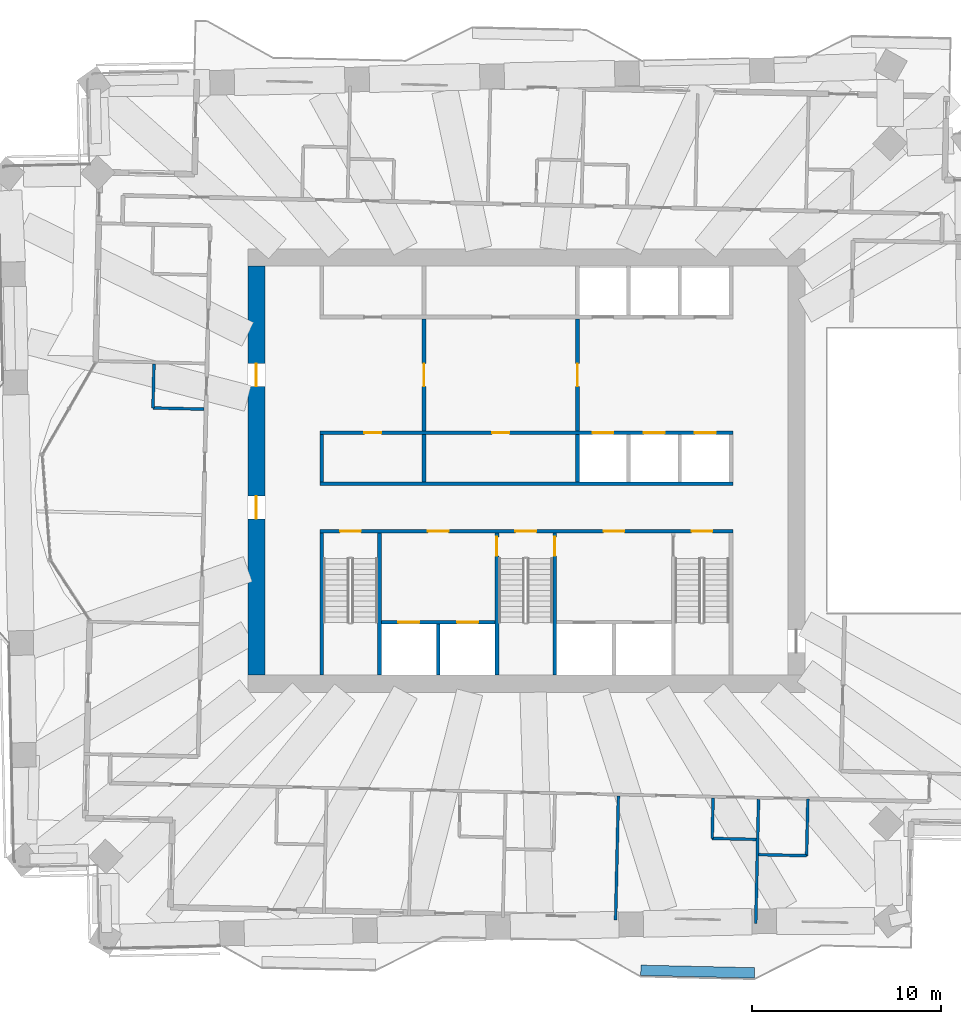
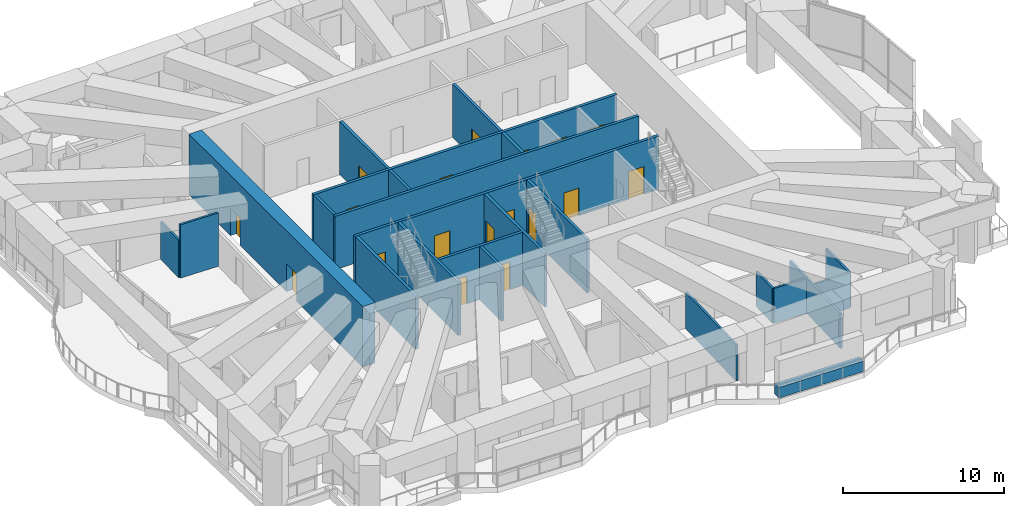
# One storey, part 9 of 17: 24 walls, 18 doors, 18 openings.
"""IFC4 building model written with IfcOpenShell, lengths in metres."""

import ifcopenshell
import ifcopenshell.guid

model = None  # the IFC model being written
_history = None  # IfcOwnerHistory: only IFC2X3 demands one
_inside = {}  # id of a spatial element -> (the spatial element, [elements in it])
_under = {}  # id of a project, library or spatial element -> (it, [spatial elements below it])
_declared = {}  # id of a project -> (the project, [libraries it declares])
_typed = {}  # id of a type object -> (the type object, [elements of that type])
_made_of = {}  # id of a material, layer set ... -> (it, [elements and type objects made of it])


def new_model(schema):
    """Start an empty IFC model of exactly this schema.

    Asked for "IFC4X3", IfcOpenShell would pick the latest addendum, in which some entities
    have other attributes; the version numbers below select the first issue.
    IFC2X3 requires an IfcOwnerHistory on every rooted entity: one is made here for all.
    """
    global model, _history
    if schema == "IFC4X3":
        model = ifcopenshell.file(schema_version=(4, 3, 0, 0))
    else:
        model = ifcopenshell.file(schema=schema)
    _inside.clear()
    _under.clear()
    _declared.clear()
    _typed.clear()
    _made_of.clear()
    _history = None
    if model.schema == "IFC2X3":
        org = make("IfcOrganization", Name="unknown")
        user = make(
            "IfcPersonAndOrganization",
            ThePerson=make("IfcPerson", FamilyName="unknown"),
            TheOrganization=org,
        )
        app = make(
            "IfcApplication",
            ApplicationDeveloper=org,
            Version="unknown",
            ApplicationFullName="unknown",
            ApplicationIdentifier="unknown",
        )
        _history = make(
            "IfcOwnerHistory",
            OwningUser=user,
            OwningApplication=app,
            ChangeAction="ADDED",
            CreationDate=0,
        )
    return model


def make(cls, **values):
    """One entity of the class cls with the attributes given. An attribute that is None is left unset."""
    return model.create_entity(
        cls, **{name: value for name, value in values.items() if value is not None}
    )


def rooted(cls, **values):
    """An entity with a GlobalId (a new one), such as an element, a storey or a relation."""
    return make(cls, GlobalId=ifcopenshell.guid.new(), OwnerHistory=_history, **values)


def si_unit(unit_type, name, prefix=None):
    """IfcSIUnit, for example si_unit("LENGTHUNIT", "METRE", prefix="MILLI")."""
    return make("IfcSIUnit", UnitType=unit_type, Prefix=prefix, Name=name)


def assignment(units):
    """IfcUnitAssignment: the units of a project."""
    return None if units is None else make("IfcUnitAssignment", Units=units)


def point(xyz):
    """IfcCartesianPoint."""
    return None if xyz is None else make("IfcCartesianPoint", Coordinates=xyz)


def direction(xyz):
    """IfcDirection."""
    return None if xyz is None else make("IfcDirection", DirectionRatios=xyz)


def frame(location, z_axis=None, x_axis=None):
    """IfcAxis2Placement3D, a coordinate frame: its origin and axes. An axis left out is left unset."""
    return make(
        "IfcAxis2Placement3D",
        Location=point(location),
        Axis=direction(z_axis),
        RefDirection=direction(x_axis),
    )


def frame_2d(location, x_axis=None):
    """IfcAxis2Placement2D, a coordinate frame in the plane: its origin and x axis."""
    return make(
        "IfcAxis2Placement2D", Location=point(location), RefDirection=direction(x_axis)
    )


def origin():
    """The frame at (0, 0, 0) with its axes left unset."""
    return frame((0.0, 0.0, 0.0))


def place(relative_to, where):
    """IfcLocalPlacement: puts the frame where relative to a parent placement (None: the world)."""
    return make(
        "IfcLocalPlacement", PlacementRelTo=relative_to, RelativePlacement=where
    )


def context(
    kind, dimensions, precision=None, world=None, true_north=None, identifier=None
):
    """IfcGeometricRepresentationContext, for example the 3D "Model" context."""
    return make(
        "IfcGeometricRepresentationContext",
        ContextIdentifier=identifier,
        ContextType=kind,
        CoordinateSpaceDimension=dimensions,
        Precision=precision,
        WorldCoordinateSystem=world,
        TrueNorth=true_north,
    )


def subcontext(parent, identifier, kind, view, scale=None):
    """IfcGeometricRepresentationSubContext, for example "Body" below "Model"."""
    return make(
        "IfcGeometricRepresentationSubContext",
        ContextIdentifier=identifier,
        ContextType=kind,
        ParentContext=parent,
        TargetScale=scale,
        TargetView=view,
    )


def project(units=None, contexts=None):
    """IfcProject with its units and contexts."""
    return rooted(
        "IfcProject",
        Name="project",
        RepresentationContexts=contexts,
        UnitsInContext=assignment(units),
    )


def spatial(cls, under=None, at=None, **own):
    """A site, building, storey or space (cls), placed at a placement, below another one or the project."""
    s = rooted(cls, ObjectPlacement=at, **own)
    if under is not None:
        _under.setdefault(under.id(), (under, []))[1].append(s)
    return s


def profile(cls, at=None, kind="AREA", **sizes):
    """A parametric profile (cls). Its sizes go by their IFC names, for example OverallWidth=200.0."""
    return make(cls, ProfileType=kind, Position=at, **sizes)


def rectangle(**sizes):
    """IfcRectangleProfileDef."""
    return profile("IfcRectangleProfileDef", **sizes)


def extrude(swept, where, along, depth):
    """IfcExtrudedAreaSolid: the profile swept, set in the frame where, extruded along a direction by depth."""
    return make(
        "IfcExtrudedAreaSolid",
        SweptArea=swept,
        Position=where,
        ExtrudedDirection=direction(along),
        Depth=depth,
    )


def shape(context_of_items, identifier, shape_type, items):
    """IfcShapeRepresentation: the items that make up one representation, for example the "Body"."""
    return make(
        "IfcShapeRepresentation",
        ContextOfItems=context_of_items,
        RepresentationIdentifier=identifier,
        RepresentationType=shape_type,
        Items=items,
    )


def material(Name=None, Category=None):
    """IfcMaterial."""
    return make("IfcMaterial", Name=Name, Category=Category)


def layer(
    of_material, thickness, ventilated=None, Name=None, Category=None, Priority=None
):
    """IfcMaterialLayer: one layer of a wall or slab, of a material (None: an air gap)."""
    return make(
        "IfcMaterialLayer",
        Material=of_material,
        LayerThickness=thickness,
        IsVentilated=ventilated,
        Name=Name,
        Category=Category,
        Priority=Priority,
    )


def layer_set(layers, Name=None):
    """IfcMaterialLayerSet."""
    return make("IfcMaterialLayerSet", MaterialLayers=layers, LayerSetName=Name)


def made_of(thing, what):
    """Note that an element or type object is made of a material, layer set ...; save() writes the relation."""
    if what is not None:
        _made_of.setdefault(what.id(), (what, []))[1].append(thing)
    return thing


def type_object(cls, material=None, **own):
    """A type object (cls), such as IfcWallType, which elements share."""
    return made_of(rooted(cls, **own), material)


def element(
    cls,
    number,
    at=None,
    inside=None,
    cuts=None,
    type_object=None,
    material=None,
    context=None,
    identifier="Body",
    shape_type=None,
    held_by="IfcProductDefinitionShape",
    body=None,
    shapes=None,
    **own,
):
    """One element of the class cls, such as IfcWall. Its Tag is "e" and its number.

    at: its placement. inside: the storey or other place that contains it. cuts: it is an
    opening in that element (IfcRelVoidsElement). A single representation is given by context,
    identifier, shape_type and body (its items); several are given by shapes. held_by: the class
    of the entity that holds the representations. save() writes the other relations.
    """
    e = rooted(cls, Tag="e%d" % number, ObjectPlacement=at, **own)
    if body is not None:
        shapes = [shape(context, identifier, shape_type, body)]
    if shapes is not None:
        e.Representation = make(held_by, Representations=shapes)
    if inside is not None:
        _inside.setdefault(inside.id(), (inside, []))[1].append(e)
    if cuts is not None:
        rooted(
            "IfcRelVoidsElement", RelatingBuildingElement=cuts, RelatedOpeningElement=e
        )
    if type_object is not None:
        _typed.setdefault(type_object.id(), (type_object, []))[1].append(e)
    return made_of(e, material)


def fill(opening, filler):
    """IfcRelFillsElement: the door or window that sits in an opening."""
    return rooted(
        "IfcRelFillsElement",
        RelatingOpeningElement=opening,
        RelatedBuildingElement=filler,
    )


def aggregate(whole, parts):
    """IfcRelAggregates: a whole, such as a stair, and the parts it consists of."""
    return rooted("IfcRelAggregates", RelatingObject=whole, RelatedObjects=parts)


def save(model, path):
    """Write the relations noted so far, then the file.

    IfcRelAggregates (storeys below a building ...), IfcRelContainedInSpatialStructure (elements
    in a storey), IfcRelDefinesByType, IfcRelAssociatesMaterial and IfcRelDeclares: one each for
    every whole, place, type object, material and project.
    """
    for whole, parts in _under.values():
        aggregate(whole, parts)
    for where, things in _inside.values():
        rooted(
            "IfcRelContainedInSpatialStructure",
            RelatedElements=things,
            RelatingStructure=where,
        )
    for kind, things in _typed.values():
        rooted("IfcRelDefinesByType", RelatedObjects=things, RelatingType=kind)
    for what, things in _made_of.values():
        rooted("IfcRelAssociatesMaterial", RelatedObjects=things, RelatingMaterial=what)
    for by, libraries in _declared.values():
        rooted("IfcRelDeclares", RelatingContext=by, RelatedDefinitions=libraries)
    model.write(path)


model = new_model("IFC4")

# Units and contexts
model_context = context("Model", 3, precision=1e-05, world=origin(), true_north=direction((0.0, 1.0)))
body_context = subcontext(model_context, "Body", "Model", "MODEL_VIEW")
ifc_project = project(units=[si_unit("LENGTHUNIT", "METRE"), si_unit("AREAUNIT", "SQUARE_METRE"), si_unit("VOLUMEUNIT", "CUBIC_METRE"), si_unit("PLANEANGLEUNIT", "RADIAN"), si_unit("MASSUNIT", "GRAM", prefix="KILO")], contexts=[model_context])

# Site, building, storey
site_placement = place(None, origin())
site = spatial("IfcSite", under=ifc_project, at=site_placement, CompositionType="ELEMENT")
building_placement = place(site_placement, origin())
building = spatial("IfcBuilding", under=site, at=building_placement, Name="Mangrove Gate Tower", CompositionType="ELEMENT")
storey_placement = place(building_placement, frame((0.0, 0.0, 148.10009765625)))
storey = spatial("IfcBuildingStorey", under=building, at=storey_placement, Name="L37", CompositionType="ELEMENT", Elevation=148.10009765625)

# Wall, opening, door
ifc_material_1 = material(Name="Concrete C32/40", Category="concrete")
ifc_layer_1 = layer(ifc_material_1, 0.199951171875)
ifc_layer_set_1 = layer_set([ifc_layer_1], Name="Core lobby wall 200 C32/40")
wall_type_1 = type_object("IfcWallType", Name="Core lobby wall 200 C32/40", PredefinedType="STANDARD", material=ifc_layer_set_1)
wall_1_placement = place(storey_placement, frame((-5.39990234375, 2.10009765625, 0.0), z_axis=(0.0, 0.0, 1.0), x_axis=(0.0, 1.0, 0.0)))
wall_1 = element("IfcWall", 1, at=wall_1_placement, inside=storey, type_object=wall_type_1, Name="WALL-L37-CORE-31", PredefinedType="STANDARD", context=body_context, shape_type="SweptSolid", body=[
    extrude(rectangle(XDim=5.89990234375, YDim=0.199951171875, at=frame_2d((2.949951171875, 0.0))), origin(), (0.0, 0.0, 1.0), 4.0498046875),
])
opening_1_placement = place(wall_1_placement, frame((2.35009765625, 0.0, 0.0)))
opening_1 = element("IfcOpeningElement", 2, at=opening_1_placement, cuts=wall_1, Name="Opening FL12", PredefinedType="OPENING", context=body_context, shape_type="SweptSolid", body=[
    extrude(rectangle(XDim=1.199951171875, YDim=2.10009765625, at=frame_2d((0.60009765625, 1.050048828125))), frame((0.0, 0.10986328125, 0.0), z_axis=(0.0, -1.0, 0.0), x_axis=(1.0, 0.0, 0.0)), (0.0, 0.0, 1.0), 0.219970703125),
])
ifc_material_2 = material(Name="Fire-rated steel door set", Category="steel")
door_type_1 = type_object("IfcDoorType", Name="Lobby door FD60 1200x2100", OperationType="SINGLE_SWING_LEFT", PredefinedType="DOOR", material=ifc_material_2)
door_1_placement = place(opening_1_placement, origin())
door_1 = element("IfcDoor", 3, at=door_1_placement, inside=storey, type_object=door_type_1, Name="Lobby door lift lobby partition", OperationType="SINGLE_SWING_LEFT", OverallHeight=2.10009765625, OverallWidth=1.199951171875, PredefinedType="DOOR", context=body_context, shape_type="SweptSolid", body=[
    extrude(rectangle(XDim=1.199951171875, YDim=2.10009765625, at=frame_2d((0.60009765625, 1.050048828125))), frame((0.0, 0.02490234375, 0.0), z_axis=(0.0, -1.0, 0.0), x_axis=(1.0, 0.0, 0.0)), (0.0, 0.0, 1.0), 0.050048828125),
])
fill(opening_1, door_1)

wall_2_placement = place(storey_placement, frame((2.699951171875, 2.10009765625, 0.0), z_axis=(0.0, 0.0, 1.0), x_axis=(0.0, 1.0, 0.0)))
wall_2 = element("IfcWall", 4, at=wall_2_placement, inside=storey, type_object=wall_type_1, Name="WALL-L37-CORE-32", PredefinedType="STANDARD", context=body_context, shape_type="SweptSolid", body=[
    extrude(rectangle(XDim=5.89990234375, YDim=0.199951171875, at=frame_2d((2.949951171875, 0.0))), origin(), (0.0, 0.0, 1.0), 4.0498046875),
])
opening_2_placement = place(wall_2_placement, frame((2.35009765625, 0.0, 0.0)))
opening_2 = element("IfcOpeningElement", 5, at=opening_2_placement, cuts=wall_2, Name="Opening FL12", PredefinedType="OPENING", context=body_context, shape_type="SweptSolid", body=[
    extrude(rectangle(XDim=1.199951171875, YDim=2.10009765625, at=frame_2d((0.60009765625, 1.050048828125))), frame((0.0, 0.10986328125, 0.0), z_axis=(0.0, -1.0, 0.0), x_axis=(1.0, 0.0, 0.0)), (0.0, 0.0, 1.0), 0.219970703125),
])
door_2_placement = place(opening_2_placement, origin())
door_2 = element("IfcDoor", 6, at=door_2_placement, inside=storey, type_object=door_type_1, Name="Lobby door lift lobby partition", OperationType="SINGLE_SWING_LEFT", OverallHeight=2.10009765625, OverallWidth=1.199951171875, PredefinedType="DOOR", context=body_context, shape_type="SweptSolid", body=[
    extrude(rectangle(XDim=1.199951171875, YDim=2.10009765625, at=frame_2d((0.60009765625, 1.050048828125))), frame((0.0, 0.02490234375, 0.0), z_axis=(0.0, -1.0, 0.0), x_axis=(1.0, 0.0, 0.0)), (0.0, 0.0, 1.0), 0.050048828125),
])
fill(opening_2, door_2)

# Walls
ifc_material_3 = material(Name="Concrete C32/40", Category="concrete")
ifc_layer_2 = layer(ifc_material_3, 0.199951171875)
ifc_layer_set_2 = layer_set([ifc_layer_2], Name="Core room wall 200 C32/40")
wall_type_2 = type_object("IfcWallType", Name="Core room wall 200 C32/40", PredefinedType="STANDARD", material=ifc_layer_set_2)
for number, where, z_axis, x_axis, name in (
    (7, (-10.800048828125, -0.60009765625, 0.0), (0.0, 0.0, 1.0), (0.0, 1.0, 0.0), "WALL-L37-CORE-19"),
    (8, (-5.39990234375, -0.60009765625, 0.0), (0.0, 0.0, 1.0), (0.0, 1.0, 0.0), "WALL-L37-CORE-20"),
):
    element("IfcWall", number, at=place(storey_placement, frame(where, z_axis=z_axis, x_axis=x_axis)), inside=storey, type_object=wall_type_2, Name=name, PredefinedType="STANDARD", context=body_context, shape_type="SweptSolid", body=[
        extrude(rectangle(XDim=2.5, YDim=0.199951171875, at=frame_2d((1.25, 0.0))), origin(), (0.0, 0.0, 1.0), 4.0498046875),
    ])
ifc_material_4 = material(Name="Concrete C60/75", Category="concrete")
ifc_layer_3 = layer(ifc_material_4, 0.199951171875)
ifc_layer_set_3 = layer_set([ifc_layer_3], Name="Core shaft wall 200 C60/75")
wall_type_3 = type_object("IfcWallType", Name="Core shaft wall 200 C60/75", PredefinedType="SHEAR", material=ifc_layer_set_3)
wall_3_placement = place(storey_placement, frame((-10.89990234375, -0.699951171875, 0.0), z_axis=(0.0, 0.0, 1.0), x_axis=(1.0, 0.0, 0.0)))
element("IfcWall", 9, at=wall_3_placement, inside=storey, type_object=wall_type_3, Name="WALL-L37-CORE-6", PredefinedType="SHEAR", context=body_context, shape_type="SweptSolid", body=[
    extrude(rectangle(XDim=21.7998046875, YDim=0.199951171875, at=frame_2d((10.89990234375, 0.0))), origin(), (0.0, 0.0, 1.0), 4.0498046875),
])

# Wall, openings, doors
wall_4_placement = place(storey_placement, frame((-10.89990234375, 2.0, 0.0), z_axis=(0.0, 0.0, 1.0), x_axis=(1.0, 0.0, 0.0)))
wall_4 = element("IfcWall", 10, at=wall_4_placement, inside=storey, type_object=wall_type_3, Name="WALL-L37-CORE-7", PredefinedType="SHEAR", context=body_context, shape_type="SweptSolid", body=[
    extrude(rectangle(XDim=21.7998046875, YDim=0.199951171875, at=frame_2d((10.89990234375, 0.0))), origin(), (0.0, 0.0, 1.0), 4.0498046875),
])
opening_3_placement = place(wall_4_placement, frame((14.39990234375, 0.0, 0.0)))
opening_3 = element("IfcOpeningElement", 11, at=opening_3_placement, cuts=wall_4, Name="Opening LD", PredefinedType="OPENING", context=body_context, shape_type="SweptSolid", body=[
    extrude(rectangle(XDim=1.10009765625, YDim=2.10009765625, at=frame_2d((0.550048828125, 1.050048828125))), frame((0.0, 0.10986328125, 0.0), z_axis=(0.0, -1.0, 0.0), x_axis=(1.0, 0.0, 0.0)), (0.0, 0.0, 1.0), 0.219970703125),
])
opening_4_placement = place(wall_4_placement, frame((17.10009765625, 0.0, 0.0)))
opening_4 = element("IfcOpeningElement", 12, at=opening_4_placement, cuts=wall_4, Name="Opening LD", PredefinedType="OPENING", context=body_context, shape_type="SweptSolid", body=[
    extrude(rectangle(XDim=1.10009765625, YDim=2.10009765625, at=frame_2d((0.550048828125, 1.050048828125))), frame((0.0, 0.10986328125, 0.0), z_axis=(0.0, -1.0, 0.0), x_axis=(1.0, 0.0, 0.0)), (0.0, 0.0, 1.0), 0.219970703125),
])
opening_5_placement = place(wall_4_placement, frame((19.800048828125, 0.0, 0.0)))
opening_5 = element("IfcOpeningElement", 13, at=opening_5_placement, cuts=wall_4, Name="Opening LD", PredefinedType="OPENING", context=body_context, shape_type="SweptSolid", body=[
    extrude(rectangle(XDim=1.10009765625, YDim=2.10009765625, at=frame_2d((0.550048828125, 1.050048828125))), frame((0.0, 0.10986328125, 0.0), z_axis=(0.0, -1.0, 0.0), x_axis=(1.0, 0.0, 0.0)), (0.0, 0.0, 1.0), 0.219970703125),
])
opening_6_placement = place(wall_4_placement, frame((2.35009765625, 0.0, 0.0)))
opening_6 = element("IfcOpeningElement", 14, at=opening_6_placement, cuts=wall_4, Name="Opening RD", PredefinedType="OPENING", context=body_context, shape_type="SweptSolid", body=[
    extrude(rectangle(XDim=0.89990234375, YDim=2.10009765625, at=frame_2d((0.449951171875, 1.050048828125))), frame((0.0, 0.10986328125, 0.0), z_axis=(0.0, -1.0, 0.0), x_axis=(1.0, 0.0, 0.0)), (0.0, 0.0, 1.0), 0.219970703125),
])
opening_7_placement = place(wall_4_placement, frame((9.10009765625, 0.0, 0.0)))
opening_7 = element("IfcOpeningElement", 15, at=opening_7_placement, cuts=wall_4, Name="Opening RD", PredefinedType="OPENING", context=body_context, shape_type="SweptSolid", body=[
    extrude(rectangle(XDim=0.89990234375, YDim=2.10009765625, at=frame_2d((0.449951171875, 1.050048828125))), frame((0.0, 0.10986328125, 0.0), z_axis=(0.0, -1.0, 0.0), x_axis=(1.0, 0.0, 0.0)), (0.0, 0.0, 1.0), 0.219970703125),
])
ifc_material_5 = material(Name="Stainless steel 316", Category="steel")
door_type_2 = type_object("IfcDoorType", Name="Lift landing door 1100x2100", OperationType="SLIDING_TO_LEFT", PredefinedType="DOOR", material=ifc_material_5)
door_3_placement = place(opening_3_placement, origin())
door_3 = element("IfcDoor", 16, at=door_3_placement, inside=storey, type_object=door_type_2, Name="Landing door LD M01", OperationType="SLIDING_TO_LEFT", OverallHeight=2.10009765625, OverallWidth=1.10009765625, PredefinedType="DOOR", context=body_context, shape_type="SweptSolid", body=[
    extrude(rectangle(XDim=1.10009765625, YDim=2.10009765625, at=frame_2d((0.550048828125, 1.050048828125))), frame((0.0, 0.02490234375, 0.0), z_axis=(0.0, -1.0, 0.0), x_axis=(1.0, 0.0, 0.0)), (0.0, 0.0, 1.0), 0.050048828125),
])
fill(opening_3, door_3)
door_4_placement = place(opening_4_placement, origin())
door_4 = element("IfcDoor", 17, at=door_4_placement, inside=storey, type_object=door_type_2, Name="Landing door LD M02", OperationType="SLIDING_TO_LEFT", OverallHeight=2.10009765625, OverallWidth=1.10009765625, PredefinedType="DOOR", context=body_context, shape_type="SweptSolid", body=[
    extrude(rectangle(XDim=1.10009765625, YDim=2.10009765625, at=frame_2d((0.550048828125, 1.050048828125))), frame((0.0, 0.02490234375, 0.0), z_axis=(0.0, -1.0, 0.0), x_axis=(1.0, 0.0, 0.0)), (0.0, 0.0, 1.0), 0.050048828125),
])
fill(opening_4, door_4)
door_5_placement = place(opening_5_placement, origin())
door_5 = element("IfcDoor", 18, at=door_5_placement, inside=storey, type_object=door_type_2, Name="Landing door LD M03", OperationType="SLIDING_TO_LEFT", OverallHeight=2.10009765625, OverallWidth=1.10009765625, PredefinedType="DOOR", context=body_context, shape_type="SweptSolid", body=[
    extrude(rectangle(XDim=1.10009765625, YDim=2.10009765625, at=frame_2d((0.550048828125, 1.050048828125))), frame((0.0, 0.02490234375, 0.0), z_axis=(0.0, -1.0, 0.0), x_axis=(1.0, 0.0, 0.0)), (0.0, 0.0, 1.0), 0.050048828125),
])
fill(opening_5, door_5)
ifc_material_6 = material(Name="Fire-rated steel door set", Category="steel")
door_type_3 = type_object("IfcDoorType", Name="Riser door FD30S 900x2100", OperationType="SINGLE_SWING_LEFT", PredefinedType="DOOR", material=ifc_material_6)
door_6_placement = place(opening_6_placement, origin())
door_6 = element("IfcDoor", 19, at=door_6_placement, inside=storey, type_object=door_type_3, Name="Riser door Switch room", OperationType="SINGLE_SWING_LEFT", OverallHeight=2.10009765625, OverallWidth=0.89990234375, PredefinedType="DOOR", context=body_context, shape_type="SweptSolid", body=[
    extrude(rectangle(XDim=0.89990234375, YDim=2.10009765625, at=frame_2d((0.449951171875, 1.050048828125))), frame((0.0, 0.02490234375, 0.0), z_axis=(0.0, -1.0, 0.0), x_axis=(1.0, 0.0, 0.0)), (0.0, 0.0, 1.0), 0.050048828125),
])
fill(opening_6, door_6)
door_7_placement = place(opening_7_placement, origin())
door_7 = element("IfcDoor", 20, at=door_7_placement, inside=storey, type_object=door_type_3, Name="Riser door Comms room", OperationType="SINGLE_SWING_LEFT", OverallHeight=2.10009765625, OverallWidth=0.89990234375, PredefinedType="DOOR", context=body_context, shape_type="SweptSolid", body=[
    extrude(rectangle(XDim=0.89990234375, YDim=2.10009765625, at=frame_2d((0.449951171875, 1.050048828125))), frame((0.0, 0.02490234375, 0.0), z_axis=(0.0, -1.0, 0.0), x_axis=(1.0, 0.0, 0.0)), (0.0, 0.0, 1.0), 0.050048828125),
])
fill(opening_7, door_7)

wall_5_placement = place(storey_placement, frame((-7.64990234375, -8.0, 0.0), z_axis=(0.0, 0.0, 1.0), x_axis=(1.0, 0.0, 0.0)))
wall_5 = element("IfcWall", 21, at=wall_5_placement, inside=storey, type_object=wall_type_3, Name="WALL-L37-CORE-15", PredefinedType="SHEAR", context=body_context, shape_type="SweptSolid", body=[
    extrude(rectangle(XDim=6.0, YDim=0.199951171875, at=frame_2d((3.0, 0.0))), origin(), (0.0, 0.0, 1.0), 4.0498046875),
])
opening_8_placement = place(wall_5_placement, frame((0.89990234375, 0.0, 0.0)))
opening_8 = element("IfcOpeningElement", 22, at=opening_8_placement, cuts=wall_5, Name="Opening LD", PredefinedType="OPENING", context=body_context, shape_type="SweptSolid", body=[
    extrude(rectangle(XDim=1.10009765625, YDim=2.10009765625, at=frame_2d((0.550048828125, 1.050048828125))), frame((0.0, 0.10986328125, 0.0), z_axis=(0.0, -1.0, 0.0), x_axis=(1.0, 0.0, 0.0)), (0.0, 0.0, 1.0), 0.219970703125),
])
opening_9_placement = place(wall_5_placement, frame((4.0, 0.0, 0.0)))
opening_9 = element("IfcOpeningElement", 23, at=opening_9_placement, cuts=wall_5, Name="Opening LD", PredefinedType="OPENING", context=body_context, shape_type="SweptSolid", body=[
    extrude(rectangle(XDim=1.10009765625, YDim=2.10009765625, at=frame_2d((0.550048828125, 1.050048828125))), frame((0.0, 0.10986328125, 0.0), z_axis=(0.0, -1.0, 0.0), x_axis=(1.0, 0.0, 0.0)), (0.0, 0.0, 1.0), 0.219970703125),
])
door_8_placement = place(opening_8_placement, origin())
door_8 = element("IfcDoor", 24, at=door_8_placement, inside=storey, type_object=door_type_2, Name="Landing door LD SVL1", OperationType="SLIDING_TO_LEFT", OverallHeight=2.10009765625, OverallWidth=1.10009765625, PredefinedType="DOOR", context=body_context, shape_type="SweptSolid", body=[
    extrude(rectangle(XDim=1.10009765625, YDim=2.10009765625, at=frame_2d((0.550048828125, 1.050048828125))), frame((0.0, 0.02490234375, 0.0), z_axis=(0.0, -1.0, 0.0), x_axis=(1.0, 0.0, 0.0)), (0.0, 0.0, 1.0), 0.050048828125),
])
fill(opening_8, door_8)
door_9_placement = place(opening_9_placement, origin())
door_9 = element("IfcDoor", 25, at=door_9_placement, inside=storey, type_object=door_type_2, Name="Landing door LD SVL2", OperationType="SLIDING_TO_LEFT", OverallHeight=2.10009765625, OverallWidth=1.10009765625, PredefinedType="DOOR", context=body_context, shape_type="SweptSolid", body=[
    extrude(rectangle(XDim=1.10009765625, YDim=2.10009765625, at=frame_2d((0.550048828125, 1.050048828125))), frame((0.0, 0.02490234375, 0.0), z_axis=(0.0, -1.0, 0.0), x_axis=(1.0, 0.0, 0.0)), (0.0, 0.0, 1.0), 0.050048828125),
])
fill(opening_9, door_9)

# Walls
wall_6_placement = place(storey_placement, frame((-4.64990234375, -10.800048828125, 0.0), z_axis=(0.0, 0.0, 1.0), x_axis=(0.0, 1.0, 0.0)))
element("IfcWall", 26, at=wall_6_placement, inside=storey, type_object=wall_type_3, Name="WALL-L37-CORE-16", PredefinedType="SHEAR", context=body_context, shape_type="SweptSolid", body=[
    extrude(rectangle(XDim=2.699951171875, YDim=0.199951171875, at=frame_2d((1.35009765625, 0.0))), origin(), (0.0, 0.0, 1.0), 4.0498046875),
])
wall_7_placement = place(storey_placement, frame((2.699951171875, -0.60009765625, 0.0), z_axis=(0.0, 0.0, 1.0), x_axis=(0.0, 1.0, 0.0)))
element("IfcWall", 27, at=wall_7_placement, inside=storey, type_object=wall_type_3, Name="WALL-L37-CORE-21", PredefinedType="SHEAR", context=body_context, shape_type="SweptSolid", body=[
    extrude(rectangle(XDim=2.5, YDim=0.199951171875, at=frame_2d((1.25, 0.0))), origin(), (0.0, 0.0, 1.0), 4.0498046875),
])

# Wall, openings, doors
ifc_material_7 = material(Name="Concrete C60/75", Category="concrete")
ifc_layer_4 = layer(ifc_material_7, 0.199951171875)
ifc_layer_set_4 = layer_set([ifc_layer_4], Name="Core stair wall 200 C60/75")
wall_type_4 = type_object("IfcWallType", Name="Core stair wall 200 C60/75", PredefinedType="SHEAR", material=ifc_layer_set_4)
wall_8_placement = place(storey_placement, frame((-10.89990234375, -3.199951171875, 0.0), z_axis=(0.0, 0.0, 1.0), x_axis=(1.0, 0.0, 0.0)))
wall_8 = element("IfcWall", 28, at=wall_8_placement, inside=storey, type_object=wall_type_4, Name="WALL-L37-CORE-5", PredefinedType="SHEAR", context=body_context, shape_type="SweptSolid", body=[
    extrude(rectangle(XDim=21.7998046875, YDim=0.199951171875, at=frame_2d((10.89990234375, 0.0))), origin(), (0.0, 0.0, 1.0), 4.0498046875),
])
opening_10_placement = place(wall_8_placement, frame((1.074951171875, 0.0, 0.0)))
opening_10 = element("IfcOpeningElement", 29, at=opening_10_placement, cuts=wall_8, Name="Opening STD11", PredefinedType="OPENING", context=body_context, shape_type="SweptSolid", body=[
    extrude(rectangle(XDim=1.10009765625, YDim=2.10009765625, at=frame_2d((0.550048828125, 1.050048828125))), frame((0.0, 0.10986328125, 0.0), z_axis=(0.0, -1.0, 0.0), x_axis=(1.0, 0.0, 0.0)), (0.0, 0.0, 1.0), 0.219970703125),
])
opening_11_placement = place(wall_8_placement, frame((10.324951171875, 0.0, 0.0)))
opening_11 = element("IfcOpeningElement", 30, at=opening_11_placement, cuts=wall_8, Name="Opening STD11", PredefinedType="OPENING", context=body_context, shape_type="SweptSolid", body=[
    extrude(rectangle(XDim=1.10009765625, YDim=2.10009765625, at=frame_2d((0.550048828125, 1.050048828125))), frame((0.0, 0.10986328125, 0.0), z_axis=(0.0, -1.0, 0.0), x_axis=(1.0, 0.0, 0.0)), (0.0, 0.0, 1.0), 0.219970703125),
])
opening_12_placement = place(wall_8_placement, frame((19.625, 0.0, 0.0)))
opening_12 = element("IfcOpeningElement", 31, at=opening_12_placement, cuts=wall_8, Name="Opening STD11", PredefinedType="OPENING", context=body_context, shape_type="SweptSolid", body=[
    extrude(rectangle(XDim=1.10009765625, YDim=2.10009765625, at=frame_2d((0.550048828125, 1.050048828125))), frame((0.0, 0.10986328125, 0.0), z_axis=(0.0, -1.0, 0.0), x_axis=(1.0, 0.0, 0.0)), (0.0, 0.0, 1.0), 0.219970703125),
])
opening_13_placement = place(wall_8_placement, frame((5.699951171875, 0.0, 0.0)))
opening_13 = element("IfcOpeningElement", 32, at=opening_13_placement, cuts=wall_8, Name="Opening FL", PredefinedType="OPENING", context=body_context, shape_type="SweptSolid", body=[
    extrude(rectangle(XDim=1.10009765625, YDim=2.10009765625, at=frame_2d((0.550048828125, 1.050048828125))), frame((0.0, 0.10986328125, 0.0), z_axis=(0.0, -1.0, 0.0), x_axis=(1.0, 0.0, 0.0)), (0.0, 0.0, 1.0), 0.219970703125),
])
opening_14_placement = place(wall_8_placement, frame((14.97509765625, 0.0, 0.0)))
opening_14 = element("IfcOpeningElement", 33, at=opening_14_placement, cuts=wall_8, Name="Opening FL", PredefinedType="OPENING", context=body_context, shape_type="SweptSolid", body=[
    extrude(rectangle(XDim=1.10009765625, YDim=2.10009765625, at=frame_2d((0.550048828125, 1.050048828125))), frame((0.0, 0.10986328125, 0.0), z_axis=(0.0, -1.0, 0.0), x_axis=(1.0, 0.0, 0.0)), (0.0, 0.0, 1.0), 0.219970703125),
])
ifc_material_8 = material(Name="Fire-rated steel door set", Category="steel")
door_type_4 = type_object("IfcDoorType", Name="Lobby door FD60 1100x2100", OperationType="SINGLE_SWING_LEFT", PredefinedType="DOOR", material=ifc_material_8)
door_10_placement = place(opening_13_placement, origin())
door_10 = element("IfcDoor", 34, at=door_10_placement, inside=storey, type_object=door_type_4, Name="Lobby door service lobby", OperationType="SINGLE_SWING_LEFT", OverallHeight=2.10009765625, OverallWidth=1.10009765625, PredefinedType="DOOR", context=body_context, shape_type="SweptSolid", body=[
    extrude(rectangle(XDim=1.10009765625, YDim=2.10009765625, at=frame_2d((0.550048828125, 1.050048828125))), frame((0.0, 0.02490234375, 0.0), z_axis=(0.0, -1.0, 0.0), x_axis=(1.0, 0.0, 0.0)), (0.0, 0.0, 1.0), 0.050048828125),
])
fill(opening_13, door_10)
door_11_placement = place(opening_14_placement, origin())
door_11 = element("IfcDoor", 35, at=door_11_placement, inside=storey, type_object=door_type_4, Name="Lobby door fire-fighting lobby", OperationType="SINGLE_SWING_LEFT", OverallHeight=2.10009765625, OverallWidth=1.10009765625, PredefinedType="DOOR", context=body_context, shape_type="SweptSolid", body=[
    extrude(rectangle(XDim=1.10009765625, YDim=2.10009765625, at=frame_2d((0.550048828125, 1.050048828125))), frame((0.0, 0.02490234375, 0.0), z_axis=(0.0, -1.0, 0.0), x_axis=(1.0, 0.0, 0.0)), (0.0, 0.0, 1.0), 0.050048828125),
])
fill(opening_14, door_11)
ifc_material_9 = material(Name="Fire-rated steel door set", Category="steel")
door_type_5 = type_object("IfcDoorType", Name="Stair door FD60 1100x2100", OperationType="SINGLE_SWING_RIGHT", PredefinedType="DOOR", material=ifc_material_9)
door_12_placement = place(opening_10_placement, origin())
door_12 = element("IfcDoor", 36, at=door_12_placement, inside=storey, type_object=door_type_5, Name="Stair door Stair 1", OperationType="SINGLE_SWING_RIGHT", OverallHeight=2.10009765625, OverallWidth=1.10009765625, PredefinedType="DOOR", context=body_context, shape_type="SweptSolid", body=[
    extrude(rectangle(XDim=1.10009765625, YDim=2.10009765625, at=frame_2d((0.550048828125, 1.050048828125))), frame((0.0, 0.02490234375, 0.0), z_axis=(0.0, -1.0, 0.0), x_axis=(1.0, 0.0, 0.0)), (0.0, 0.0, 1.0), 0.050048828125),
])
fill(opening_10, door_12)
door_13_placement = place(opening_11_placement, origin())
door_13 = element("IfcDoor", 37, at=door_13_placement, inside=storey, type_object=door_type_5, Name="Stair door Stair 2", OperationType="SINGLE_SWING_RIGHT", OverallHeight=2.10009765625, OverallWidth=1.10009765625, PredefinedType="DOOR", context=body_context, shape_type="SweptSolid", body=[
    extrude(rectangle(XDim=1.10009765625, YDim=2.10009765625, at=frame_2d((0.550048828125, 1.050048828125))), frame((0.0, 0.02490234375, 0.0), z_axis=(0.0, -1.0, 0.0), x_axis=(1.0, 0.0, 0.0)), (0.0, 0.0, 1.0), 0.050048828125),
])
fill(opening_11, door_13)
door_14_placement = place(opening_12_placement, origin())
door_14 = element("IfcDoor", 38, at=door_14_placement, inside=storey, type_object=door_type_5, Name="Stair door Stair 3", OperationType="SINGLE_SWING_RIGHT", OverallHeight=2.10009765625, OverallWidth=1.10009765625, PredefinedType="DOOR", context=body_context, shape_type="SweptSolid", body=[
    extrude(rectangle(XDim=1.10009765625, YDim=2.10009765625, at=frame_2d((0.550048828125, 1.050048828125))), frame((0.0, 0.02490234375, 0.0), z_axis=(0.0, -1.0, 0.0), x_axis=(1.0, 0.0, 0.0)), (0.0, 0.0, 1.0), 0.050048828125),
])
fill(opening_12, door_14)

# Walls
for number, where, z_axis, x_axis, name in (
    (39, (-10.800048828125, -10.800048828125, 0.0), (0.0, 0.0, 1.0), (0.0, 1.0, 0.0), "WALL-L37-CORE-9"),
    (40, (-7.75, -10.800048828125, 0.0), (0.0, 0.0, 1.0), (0.0, 1.0, 0.0), "WALL-L37-CORE-10"),
):
    element("IfcWall", number, at=place(storey_placement, frame(where, z_axis=z_axis, x_axis=x_axis)), inside=storey, type_object=wall_type_4, Name=name, PredefinedType="SHEAR", context=body_context, shape_type="SweptSolid", body=[
        extrude(rectangle(XDim=7.5, YDim=0.199951171875, at=frame_2d((3.75, 0.0))), origin(), (0.0, 0.0, 1.0), 4.0498046875),
    ])

# Wall, opening, door
wall_9_placement = place(storey_placement, frame((-1.550048828125, -10.800048828125, 0.0), z_axis=(0.0, 0.0, 1.0), x_axis=(0.0, 1.0, 0.0)))
wall_9 = element("IfcWall", 41, at=wall_9_placement, inside=storey, type_object=wall_type_4, Name="WALL-L37-CORE-11", PredefinedType="SHEAR", context=body_context, shape_type="SweptSolid", body=[
    extrude(rectangle(XDim=7.5, YDim=0.199951171875, at=frame_2d((3.75, 0.0))), origin(), (0.0, 0.0, 1.0), 4.0498046875),
])
opening_15_placement = place(wall_9_placement, frame((6.300048828125, 0.0, 0.0)))
opening_15 = element("IfcOpeningElement", 42, at=opening_15_placement, cuts=wall_9, Name="Opening STD10", PredefinedType="OPENING", context=body_context, shape_type="SweptSolid", body=[
    extrude(rectangle(XDim=1.0, YDim=2.10009765625, at=frame_2d((0.5, 1.050048828125))), frame((0.0, 0.10986328125, 0.0), z_axis=(0.0, -1.0, 0.0), x_axis=(1.0, 0.0, 0.0)), (0.0, 0.0, 1.0), 0.219970703125),
])
ifc_material_10 = material(Name="Fire-rated steel door set", Category="steel")
door_type_6 = type_object("IfcDoorType", Name="Stair door FD60 1000x2100", OperationType="SINGLE_SWING_RIGHT", PredefinedType="DOOR", material=ifc_material_10)
door_15_placement = place(opening_15_placement, origin())
door_15 = element("IfcDoor", 43, at=door_15_placement, inside=storey, type_object=door_type_6, Name="Stair door Stair 2 from service lobby", OperationType="SINGLE_SWING_RIGHT", OverallHeight=2.10009765625, OverallWidth=1.0, PredefinedType="DOOR", context=body_context, shape_type="SweptSolid", body=[
    extrude(rectangle(XDim=1.0, YDim=2.10009765625, at=frame_2d((0.5, 1.050048828125))), frame((0.0, 0.02490234375, 0.0), z_axis=(0.0, -1.0, 0.0), x_axis=(1.0, 0.0, 0.0)), (0.0, 0.0, 1.0), 0.050048828125),
])
fill(opening_15, door_15)

wall_10_placement = place(storey_placement, frame((1.5, -10.800048828125, 0.0), z_axis=(0.0, 0.0, 1.0), x_axis=(0.0, 1.0, 0.0)))
wall_10 = element("IfcWall", 44, at=wall_10_placement, inside=storey, type_object=wall_type_4, Name="WALL-L37-CORE-12", PredefinedType="SHEAR", context=body_context, shape_type="SweptSolid", body=[
    extrude(rectangle(XDim=7.5, YDim=0.199951171875, at=frame_2d((3.75, 0.0))), origin(), (0.0, 0.0, 1.0), 4.0498046875),
])
opening_16_placement = place(wall_10_placement, frame((6.300048828125, 0.0, 0.0)))
opening_16 = element("IfcOpeningElement", 45, at=opening_16_placement, cuts=wall_10, Name="Opening STD10", PredefinedType="OPENING", context=body_context, shape_type="SweptSolid", body=[
    extrude(rectangle(XDim=1.0, YDim=2.10009765625, at=frame_2d((0.5, 1.050048828125))), frame((0.0, 0.10986328125, 0.0), z_axis=(0.0, -1.0, 0.0), x_axis=(1.0, 0.0, 0.0)), (0.0, 0.0, 1.0), 0.219970703125),
])
door_16_placement = place(opening_16_placement, origin())
door_16 = element("IfcDoor", 46, at=door_16_placement, inside=storey, type_object=door_type_6, Name="Stair door Stair 2 from fire-fighting lobby", OperationType="SINGLE_SWING_RIGHT", OverallHeight=2.10009765625, OverallWidth=1.0, PredefinedType="DOOR", context=body_context, shape_type="SweptSolid", body=[
    extrude(rectangle(XDim=1.0, YDim=2.10009765625, at=frame_2d((0.5, 1.050048828125))), frame((0.0, 0.02490234375, 0.0), z_axis=(0.0, -1.0, 0.0), x_axis=(1.0, 0.0, 0.0)), (0.0, 0.0, 1.0), 0.050048828125),
])
fill(opening_16, door_16)

# Wall, openings, doors
ifc_material_11 = material(Name="Concrete C60/75", Category="concrete")
ifc_layer_5 = layer(ifc_material_11, 0.89990234375)
ifc_layer_set_5 = layer_set([ifc_layer_5], Name="Core wall 900 C60/75")
wall_type_5 = type_object("IfcWallType", Name="Core wall 900 C60/75", PredefinedType="SHEAR", material=ifc_layer_set_5)
wall_11_placement = place(storey_placement, frame((-14.25, -10.800048828125, 0.0), z_axis=(0.0, 0.0, 1.0), x_axis=(0.0, 1.0, 0.0)))
wall_11 = element("IfcWall", 47, at=wall_11_placement, inside=storey, type_object=wall_type_5, Name="WALL-L37-CORE-3", PredefinedType="SHEAR", context=body_context, shape_type="SweptSolid", body=[
    extrude(rectangle(XDim=21.60009765625, YDim=0.89990234375, at=frame_2d((10.800048828125, 0.0))), origin(), (0.0, 0.0, 1.0), 4.599853515625),
])
opening_17_placement = place(wall_11_placement, frame((8.25, 0.0, 0.0)))
opening_17 = element("IfcOpeningElement", 48, at=opening_17_placement, cuts=wall_11, Name="Opening CD", PredefinedType="OPENING", context=body_context, shape_type="SweptSolid", body=[
    extrude(rectangle(XDim=1.199951171875, YDim=2.10009765625, at=frame_2d((0.60009765625, 1.050048828125))), frame((0.0, 0.4599609375, 0.0), z_axis=(0.0, -1.0, 0.0), x_axis=(1.0, 0.0, 0.0)), (0.0, 0.0, 1.0), 0.919921875),
])
opening_18_placement = place(wall_11_placement, frame((15.25, 0.0, 0.0)))
opening_18 = element("IfcOpeningElement", 49, at=opening_18_placement, cuts=wall_11, Name="Opening CD", PredefinedType="OPENING", context=body_context, shape_type="SweptSolid", body=[
    extrude(rectangle(XDim=1.199951171875, YDim=2.10009765625, at=frame_2d((0.60009765625, 1.050048828125))), frame((0.0, 0.4599609375, 0.0), z_axis=(0.0, -1.0, 0.0), x_axis=(1.0, 0.0, 0.0)), (0.0, 0.0, 1.0), 0.919921875),
])
ifc_material_12 = material(Name="Fire-rated steel door set", Category="steel")
door_type_7 = type_object("IfcDoorType", Name="Core ring door FD60 1200x2100", OperationType="DOUBLE_DOOR_SINGLE_SWING", PredefinedType="DOOR", material=ifc_material_12)
door_17_placement = place(opening_17_placement, origin())
door_17 = element("IfcDoor", 50, at=door_17_placement, inside=storey, type_object=door_type_7, Name="Core ring door W1", OperationType="DOUBLE_DOOR_SINGLE_SWING", OverallHeight=2.10009765625, OverallWidth=1.199951171875, PredefinedType="DOOR", context=body_context, shape_type="SweptSolid", body=[
    extrude(rectangle(XDim=1.199951171875, YDim=2.10009765625, at=frame_2d((0.60009765625, 1.050048828125))), frame((0.0, 0.02490234375, 0.0), z_axis=(0.0, -1.0, 0.0), x_axis=(1.0, 0.0, 0.0)), (0.0, 0.0, 1.0), 0.050048828125),
])
fill(opening_17, door_17)
door_18_placement = place(opening_18_placement, origin())
door_18 = element("IfcDoor", 51, at=door_18_placement, inside=storey, type_object=door_type_7, Name="Core ring door W2", OperationType="DOUBLE_DOOR_SINGLE_SWING", OverallHeight=2.10009765625, OverallWidth=1.199951171875, PredefinedType="DOOR", context=body_context, shape_type="SweptSolid", body=[
    extrude(rectangle(XDim=1.199951171875, YDim=2.10009765625, at=frame_2d((0.60009765625, 1.050048828125))), frame((0.0, 0.02490234375, 0.0), z_axis=(0.0, -1.0, 0.0), x_axis=(1.0, 0.0, 0.0)), (0.0, 0.0, 1.0), 0.050048828125),
])
fill(opening_18, door_18)

# Walls
ifc_material_13 = material(Name="Gypsum board on steel stud, EI 60", Category="steel")
ifc_layer_6 = layer(ifc_material_13, 0.14990234375)
ifc_layer_set_6 = layer_set([ifc_layer_6], Name="Party wall 150 EI 60")
wall_type_6 = type_object("IfcWallType", Name="Party wall 150 EI 60", PredefinedType="PARTITIONING", material=ifc_layer_set_6)
wall_12_placement = place(storey_placement, frame((4.7099609375, -23.72607421875, 0.0), z_axis=(0.0, 0.0, 1.0), x_axis=(0.022734104141, 0.999741546855, 0.0)))
element("IfcWall", 52, at=wall_12_placement, inside=storey, type_object=wall_type_6, Name="WALL-L37-004", PredefinedType="PARTITIONING", context=body_context, shape_type="SweptSolid", body=[
    extrude(rectangle(XDim=6.55078125, YDim=0.14990234375, at=frame_2d((3.275390625, 0.0))), origin(), (0.0, 0.0, 1.0), 2.75),
])
wall_13_placement = place(storey_placement, frame((12.10791015625, -23.89404296875, 0.0), z_axis=(0.0, 0.0, 1.0), x_axis=(0.022771353855, 0.999740699103, 0.0)))
element("IfcWall", 53, at=wall_13_placement, inside=storey, type_object=wall_type_6, Name="WALL-L37-005", PredefinedType="PARTITIONING", context=body_context, shape_type="SweptSolid", body=[
    extrude(rectangle(XDim=6.55078125, YDim=0.14990234375, at=frame_2d((3.275390625, 0.0))), origin(), (0.0, 0.0, 1.0), 2.64990234375),
])
wall_14_placement = place(storey_placement, frame((14.7900390625, -20.327880859375, 0.0), z_axis=(0.0, 0.0, 1.0), x_axis=(0.02262711266, 0.999743974112, 0.0)))
element("IfcWall", 54, at=wall_14_placement, inside=storey, type_object=wall_type_6, Name="WALL-L37-008", PredefinedType="PARTITIONING", context=body_context, shape_type="SweptSolid", body=[
    extrude(rectangle(XDim=2.99951171875, YDim=0.14990234375, at=frame_2d((1.499755859375, 0.0))), origin(), (0.0, 0.0, 1.0), 2.64990234375),
])
wall_15_placement = place(storey_placement, frame((12.264892578125, -20.26708984375, 0.0), z_axis=(0.0, 0.0, 1.0), x_axis=(0.999746356616, -0.022521599255, 0.0)))
element("IfcWall", 55, at=wall_15_placement, inside=storey, type_object=wall_type_6, Name="WALL-L37-011", PredefinedType="PARTITIONING", context=body_context, shape_type="SweptSolid", body=[
    extrude(rectangle(XDim=2.52587890625, YDim=0.14990234375, at=frame_2d((1.262939453125, 0.0))), origin(), (0.0, 0.0, 1.0), 2.64990234375),
])
wall_16_placement = place(storey_placement, frame((9.80908203125, -19.4150390625, 0.0), z_axis=(0.0, 0.0, 1.0), x_axis=(0.02251267524, 0.99974655761, 0.0)))
element("IfcWall", 56, at=wall_16_placement, inside=storey, type_object=wall_type_6, Name="WALL-L37-014", PredefinedType="PARTITIONING", context=body_context, shape_type="SweptSolid", body=[
    extrude(rectangle(XDim=2.12548828125, YDim=0.14990234375, at=frame_2d((1.062744140625, 0.0))), origin(), (0.0, 0.0, 1.0), 2.64990234375),
])
wall_17_placement = place(storey_placement, frame((9.80908203125, -19.410888671875, 0.0), z_axis=(0.0, 0.0, 1.0), x_axis=(0.999738082346, -0.022885950011, 0.0)))
element("IfcWall", 57, at=wall_17_placement, inside=storey, type_object=wall_type_6, Name="WALL-L37-015", PredefinedType="PARTITIONING", context=body_context, shape_type="SweptSolid", body=[
    extrude(rectangle(XDim=2.325439453125, YDim=0.14990234375, at=frame_2d((1.16259765625, 0.0))), origin(), (0.0, 0.0, 1.0), 2.64990234375),
])
wall_18_placement = place(storey_placement, frame((-19.697998046875, 3.303955078125, 0.0), z_axis=(0.0, 0.0, 1.0), x_axis=(0.999744396973, -0.02260842146, 0.0)))
element("IfcWall", 58, at=wall_18_placement, inside=storey, type_object=wall_type_6, Name="WALL-L37-029", PredefinedType="PARTITIONING", context=body_context, shape_type="SweptSolid", body=[
    extrude(rectangle(XDim=2.69970703125, YDim=0.14990234375, at=frame_2d((1.349853515625, 0.0))), origin(), (0.0, 0.0, 1.0), 4.0498046875),
])
wall_19_placement = place(storey_placement, frame((-19.702880859375, 3.31005859375, 0.0), z_axis=(0.0, 0.0, 1.0), x_axis=(0.02279059109, 0.999740260747, 0.0)))
element("IfcWall", 59, at=wall_19_placement, inside=storey, type_object=wall_type_6, Name="WALL-L37-030", PredefinedType="PARTITIONING", context=body_context, shape_type="SweptSolid", body=[
    extrude(rectangle(XDim=2.324462890625, YDim=0.14990234375, at=frame_2d((1.162109375, 0.0))), origin(), (0.0, 0.0, 1.0), 2.849853515625),
])
ifc_material_14 = material(Name="Concrete C32/40", Category="concrete")
ifc_layer_7 = layer(ifc_material_14, 0.199951171875, Name="Planter trough wall")
ifc_material_15 = material(Name="Bituminous waterproofing membrane")
ifc_layer_8 = layer(ifc_material_15, 0.0048828125, Name="Waterproofing")
ifc_material_16 = material(Name="Drainage board and gravel")
ifc_layer_9 = layer(ifc_material_16, 0.044921875, Name="Drainage layer")
ifc_material_17 = material(Name="Planting soil")
ifc_layer_10 = layer(ifc_material_17, 0.300048828125, Name="Growing medium")
ifc_layer_set_7 = layer_set([ifc_layer_7, ifc_layer_8, ifc_layer_9, ifc_layer_10], Name="Planter wall 550 C32/40")
wall_type_7 = type_object("IfcWallType", Name="Planter wall 550 C32/40", PredefinedType="USERDEFINED", material=ifc_layer_set_7)
wall_20_placement = place(storey_placement, frame((6.0400390625, -26.3720703125, 0.0), z_axis=(0.0, 0.0, 1.0), x_axis=(0.999743094499, -0.022665943652, 0.0)))
element("IfcWall", 60, at=wall_20_placement, inside=storey, type_object=wall_type_7, Name="PLANTER L37 S1.1", ObjectType="PLANTER", PredefinedType="USERDEFINED", context=body_context, shape_type="SweptSolid", body=[
    extrude(rectangle(XDim=5.99951171875, YDim=0.550048828125, at=frame_2d((2.999755859375, 0.0))), origin(), (0.0, 0.0, 1.0), 0.7998046875),
])

save(model, "model.ifc")
